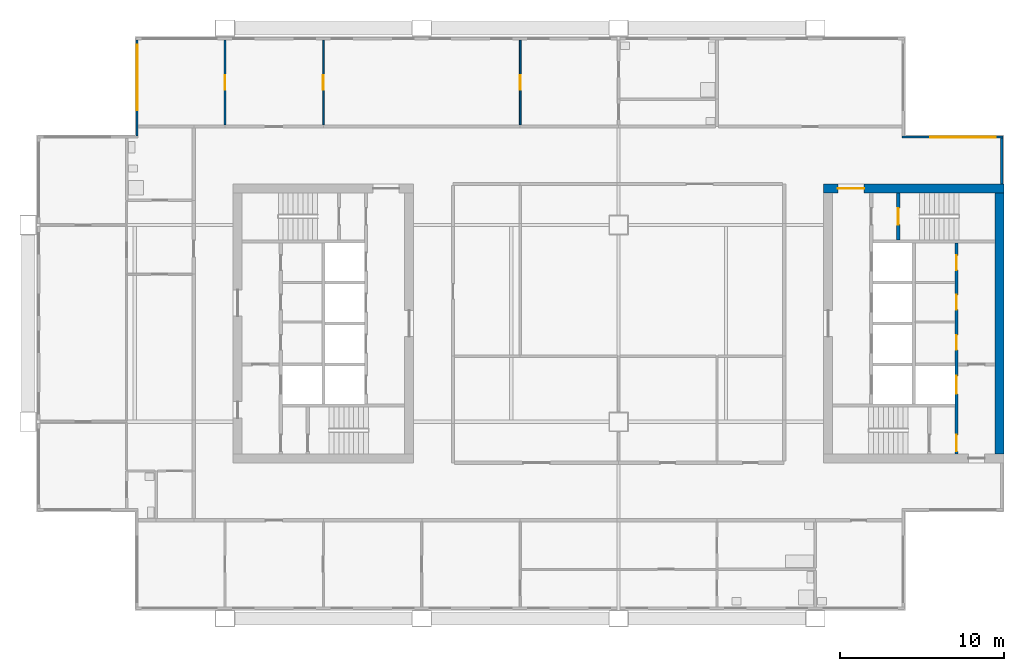
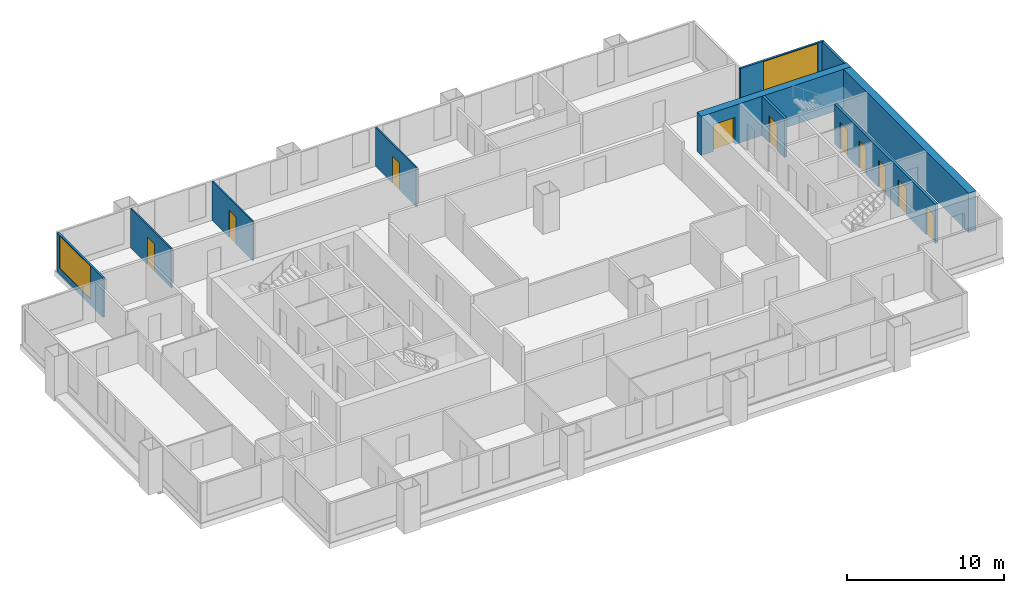
# One storey, part 6 of 9: 10 doors, 10 walls, 2 windows, 12 openings.
"""IFC4 building model written with IfcOpenShell, lengths in metres."""

from ifc_helpers import new_model, si_unit, direction, frame, frame_2d, origin, place, context, subcontext, project, spatial, rectangle, extrude, material, layer, layer_set, type_object, element, fill, save


model = new_model("IFC4")

# Units and contexts
model_context = context("Model", 3, precision=1e-05, world=origin(), true_north=direction((0.0, 1.0)))
body_context = subcontext(model_context, "Body", "Model", "MODEL_VIEW")
ifc_project = project(units=[si_unit("LENGTHUNIT", "METRE"), si_unit("AREAUNIT", "SQUARE_METRE"), si_unit("VOLUMEUNIT", "CUBIC_METRE"), si_unit("PLANEANGLEUNIT", "RADIAN"), si_unit("MASSUNIT", "GRAM", prefix="KILO")], contexts=[model_context])

# Site, building, storey
site_placement = place(None, origin())
site = spatial("IfcSite", under=ifc_project, at=site_placement, CompositionType="ELEMENT")
building_placement = place(site_placement, origin())
building = spatial("IfcBuilding", under=site, at=building_placement, Name="Kitamizu Gate Tower and Museum", CompositionType="ELEMENT")
storey_placement = place(building_placement, frame((0.0, 0.0, 196.199951171875)))
storey = spatial("IfcBuildingStorey", under=building, at=storey_placement, Name="L52", CompositionType="ELEMENT", Elevation=196.199951171875)

# Wall, opening, door
ifc_material_1 = material(Name="Concrete Fc42", Category="concrete")
ifc_layer_1 = layer(ifc_material_1, 0.550048828125)
ifc_layer_set_1 = layer_set([ifc_layer_1], Name="Concrete Fc42")
wall_type_1 = type_object("IfcWallType", Name="Core wall 550", PredefinedType="SHEAR", material=ifc_layer_set_1)
wall_1_placement = place(storey_placement, frame((59.5, 38.22509765625, 0.0), z_axis=(0.0, 0.0, 1.0), x_axis=(-1.0, 0.0, 0.0)))
wall_1 = element("IfcWall", 1, at=wall_1_placement, inside=storey, type_object=wall_type_1, Name="Core wall EN", PredefinedType="SHEAR", context=body_context, shape_type="SweptSolid", body=[
    extrude(rectangle(XDim=11.0, YDim=0.550048828125, at=frame_2d((5.5, 0.0))), origin(), (0.0, 0.0, 1.0), 3.050048828125),
])
opening_1_placement = place(wall_1_placement, frame((8.52490234375, 0.0, 0.0)))
opening_1 = element("IfcOpeningElement", 2, at=opening_1_placement, cuts=wall_1, Name="Opening L52-048", PredefinedType="OPENING", context=body_context, shape_type="SweptSolid", body=[
    extrude(rectangle(XDim=1.60009765625, YDim=2.10009765625, at=frame_2d((0.800048828125, 1.050048828125))), frame((0.0, 0.28515625, 0.0), z_axis=(0.0, -1.0, 0.0), x_axis=(1.0, 0.0, 0.0)), (0.0, 0.0, 1.0), 0.570068359375),
])
ifc_material_2 = material(Name="Timber door set", Category="wood")
door_type_1 = type_object("IfcDoorType", Name="Entrance door 1600", OperationType="DOUBLE_DOOR_SINGLE_SWING", PredefinedType="DOOR", material=ifc_material_2)
door_1_placement = place(opening_1_placement, origin())
door_1 = element("IfcDoor", 3, at=door_1_placement, inside=storey, type_object=door_type_1, Name="Lobby door L52-048", OperationType="DOUBLE_DOOR_SINGLE_SWING", OverallHeight=2.10009765625, OverallWidth=1.60009765625, PredefinedType="DOOR", context=body_context, shape_type="SweptSolid", body=[
    extrude(rectangle(XDim=1.60009765625, YDim=2.10009765625, at=frame_2d((0.800048828125, 1.050048828125))), frame((0.0, 0.02490234375, 0.0), z_axis=(0.0, -1.0, 0.0), x_axis=(1.0, 0.0, 0.0)), (0.0, 0.0, 1.0), 0.050048828125),
])
fill(opening_1, door_1)

# Wall
wall_2_placement = place(storey_placement, frame((59.22509765625, 22.050048828125, 0.0), z_axis=(0.0, 0.0, 1.0), x_axis=(0.0, 1.0, 0.0)))
element("IfcWall", 4, at=wall_2_placement, inside=storey, type_object=wall_type_1, Name="Core wall EOUT", PredefinedType="SHEAR", context=body_context, shape_type="SweptSolid", body=[
    extrude(rectangle(XDim=15.89990234375, YDim=0.550048828125, at=frame_2d((7.949951171875, 0.0))), origin(), (0.0, 0.0, 1.0), 3.050048828125),
])

# Wall, opening, door
ifc_material_3 = material(Name="Gypsum board on galvanised stud")
ifc_layer_2 = layer(ifc_material_3, 0.10009765625)
ifc_layer_set_2 = layer_set([ifc_layer_2], Name="Gypsum board on galvanised stud")
wall_type_2 = type_object("IfcWallType", Name="Partition 100 NOT RATED", PredefinedType="PARTITIONING", material=ifc_layer_set_2)
wall_3_placement = place(storey_placement, frame((12.0, 42.10009765625, 0.0), z_axis=(0.0, 0.0, 1.0), x_axis=(0.0, 1.0, 0.0)))
wall_3 = element("IfcWall", 5, at=wall_3_placement, inside=storey, type_object=wall_type_2, Name="Partition L52-023", PredefinedType="PARTITIONING", context=body_context, shape_type="SweptSolid", body=[
    extrude(rectangle(XDim=5.179931640625, YDim=0.10009765625, at=frame_2d((2.58984375, 0.0))), origin(), (0.0, 0.0, 1.0), 3.050048828125),
])
opening_2_placement = place(wall_3_placement, frame((2.139892578125, 0.0, 0.0)))
opening_2 = element("IfcOpeningElement", 6, at=opening_2_placement, cuts=wall_3, Name="Opening L52-014", PredefinedType="OPENING", context=body_context, shape_type="SweptSolid", body=[
    extrude(rectangle(XDim=0.89990234375, YDim=2.10009765625, at=frame_2d((0.449951171875, 1.050048828125))), frame((0.0, 0.06005859375, 0.0), z_axis=(0.0, -1.0, 0.0), x_axis=(1.0, 0.0, 0.0)), (0.0, 0.0, 1.0), 0.1201171875),
])
ifc_material_4 = material(Name="Timber door set", Category="wood")
door_type_2 = type_object("IfcDoorType", Name="Room door 900", OperationType="NOTDEFINED", PredefinedType="DOOR", material=ifc_material_4)
door_2_placement = place(opening_2_placement, origin())
door_2 = element("IfcDoor", 7, at=door_2_placement, inside=storey, type_object=door_type_2, Name="Door L52-014", OperationType="SINGLE_SWING_LEFT", OverallHeight=2.10009765625, OverallWidth=0.89990234375, PredefinedType="DOOR", context=body_context, shape_type="SweptSolid", body=[
    extrude(rectangle(XDim=0.89990234375, YDim=2.10009765625, at=frame_2d((0.449951171875, 1.050048828125))), frame((0.0, 0.02490234375, 0.0), z_axis=(0.0, -1.0, 0.0), x_axis=(1.0, 0.0, 0.0)), (0.0, 0.0, 1.0), 0.050048828125),
])
fill(opening_2, door_2)

wall_4_placement = place(storey_placement, frame((18.0, 42.10009765625, 0.0), z_axis=(0.0, 0.0, 1.0), x_axis=(0.0, 1.0, 0.0)))
wall_4 = element("IfcWall", 8, at=wall_4_placement, inside=storey, type_object=wall_type_2, Name="Partition L52-026", PredefinedType="PARTITIONING", context=body_context, shape_type="SweptSolid", body=[
    extrude(rectangle(XDim=5.179931640625, YDim=0.10009765625, at=frame_2d((2.58984375, 0.0))), origin(), (0.0, 0.0, 1.0), 3.050048828125),
])
opening_3_placement = place(wall_4_placement, frame((2.139892578125, 0.0, 0.0)))
opening_3 = element("IfcOpeningElement", 9, at=opening_3_placement, cuts=wall_4, Name="Opening L52-011", PredefinedType="OPENING", context=body_context, shape_type="SweptSolid", body=[
    extrude(rectangle(XDim=0.89990234375, YDim=2.10009765625, at=frame_2d((0.449951171875, 1.050048828125))), frame((0.0, 0.06005859375, 0.0), z_axis=(0.0, -1.0, 0.0), x_axis=(1.0, 0.0, 0.0)), (0.0, 0.0, 1.0), 0.1201171875),
])
door_3_placement = place(opening_3_placement, frame((0.89990234375, 0.0, 0.0), x_axis=(-1.0, 0.0, 0.0)))
door_3 = element("IfcDoor", 10, at=door_3_placement, inside=storey, type_object=door_type_2, Name="Door L52-011", OperationType="SINGLE_SWING_LEFT", OverallHeight=2.10009765625, OverallWidth=0.89990234375, PredefinedType="DOOR", context=body_context, shape_type="SweptSolid", body=[
    extrude(rectangle(XDim=0.89990234375, YDim=2.10009765625, at=frame_2d((0.449951171875, 1.050048828125))), frame((0.0, 0.02490234375, 0.0), z_axis=(0.0, -1.0, 0.0), x_axis=(1.0, 0.0, 0.0)), (0.0, 0.0, 1.0), 0.050048828125),
])
fill(opening_3, door_3)

wall_5_placement = place(storey_placement, frame((30.0, 42.10009765625, 0.0), z_axis=(0.0, 0.0, 1.0), x_axis=(0.0, 1.0, 0.0)))
wall_5 = element("IfcWall", 11, at=wall_5_placement, inside=storey, type_object=wall_type_2, Name="Partition L52-028", PredefinedType="PARTITIONING", context=body_context, shape_type="SweptSolid", body=[
    extrude(rectangle(XDim=5.179931640625, YDim=0.10009765625, at=frame_2d((2.58984375, 0.0))), origin(), (0.0, 0.0, 1.0), 3.050048828125),
])
opening_4_placement = place(wall_5_placement, frame((2.139892578125, 0.0, 0.0)))
opening_4 = element("IfcOpeningElement", 12, at=opening_4_placement, cuts=wall_5, Name="Opening L52-012", PredefinedType="OPENING", context=body_context, shape_type="SweptSolid", body=[
    extrude(rectangle(XDim=0.89990234375, YDim=2.10009765625, at=frame_2d((0.449951171875, 1.050048828125))), frame((0.0, 0.06005859375, 0.0), z_axis=(0.0, -1.0, 0.0), x_axis=(1.0, 0.0, 0.0)), (0.0, 0.0, 1.0), 0.1201171875),
])
door_4_placement = place(opening_4_placement, frame((0.89990234375, 0.0, 0.0), x_axis=(-1.0, 0.0, 0.0)))
door_4 = element("IfcDoor", 13, at=door_4_placement, inside=storey, type_object=door_type_2, Name="Door L52-012", OperationType="SINGLE_SWING_RIGHT", OverallHeight=2.10009765625, OverallWidth=0.89990234375, PredefinedType="DOOR", context=body_context, shape_type="SweptSolid", body=[
    extrude(rectangle(XDim=0.89990234375, YDim=2.10009765625, at=frame_2d((0.449951171875, 1.050048828125))), frame((0.0, 0.02490234375, 0.0), z_axis=(0.0, -1.0, 0.0), x_axis=(1.0, 0.0, 0.0)), (0.0, 0.0, 1.0), 0.050048828125),
])
fill(opening_4, door_4)

# Wall, openings, doors
ifc_material_5 = material(Name="Concrete Fc42", Category="concrete")
ifc_layer_3 = layer(ifc_material_5, 0.199951171875)
ifc_layer_set_3 = layer_set([ifc_layer_3], Name="Concrete Fc42")
wall_type_3 = type_object("IfcWallType", Name="Shaft wall 200", PredefinedType="SOLIDWALL", material=ifc_layer_set_3)
wall_6_placement = place(storey_placement, frame((56.60009765625, 22.050048828125, 0.0), z_axis=(0.0, 0.0, 1.0), x_axis=(0.0, 1.0, 0.0)))
wall_6 = element("IfcWall", 14, at=wall_6_placement, inside=storey, type_object=wall_type_3, Name="Shaft wall EWEST", PredefinedType="SOLIDWALL", context=body_context, shape_type="SweptSolid", body=[
    extrude(rectangle(XDim=12.849853515625, YDim=0.199951171875, at=frame_2d((6.4248046875, 0.0))), origin(), (0.0, 0.0, 1.0), 3.050048828125),
])
opening_5_placement = place(wall_6_placement, frame((3.64990234375, 0.0, 0.0)))
opening_5 = element("IfcOpeningElement", 15, at=opening_5_placement, cuts=wall_6, Name="Opening LD", PredefinedType="OPENING", context=body_context, shape_type="SweptSolid", body=[
    extrude(rectangle(XDim=1.10009765625, YDim=2.10009765625, at=frame_2d((0.550048828125, 1.050048828125))), frame((0.0, 0.10986328125, 0.0), z_axis=(0.0, -1.0, 0.0), x_axis=(1.0, 0.0, 0.0)), (0.0, 0.0, 1.0), 0.219970703125),
])
opening_6_placement = place(wall_6_placement, frame((0.14990234375, 0.0, 0.0)))
opening_6 = element("IfcOpeningElement", 16, at=opening_6_placement, cuts=wall_6, Name="Opening L52-043", PredefinedType="OPENING", context=body_context, shape_type="SweptSolid", body=[
    extrude(rectangle(XDim=1.0, YDim=2.10009765625, at=frame_2d((0.5, 1.050048828125))), frame((0.0, 0.10986328125, 0.0), z_axis=(0.0, -1.0, 0.0), x_axis=(1.0, 0.0, 0.0)), (0.0, 0.0, 1.0), 0.219970703125),
])
opening_7_placement = place(wall_6_placement, frame((6.341064453125, 0.0, 0.0)))
opening_7 = element("IfcOpeningElement", 17, at=opening_7_placement, cuts=wall_6, Name="Opening L52-050", PredefinedType="OPENING", context=body_context, shape_type="SweptSolid", body=[
    extrude(rectangle(XDim=0.89990234375, YDim=2.10009765625, at=frame_2d((0.449951171875, 1.050048828125))), frame((0.0, 0.10986328125, 0.0), z_axis=(0.0, -1.0, 0.0), x_axis=(1.0, 0.0, 0.0)), (0.0, 0.0, 1.0), 0.219970703125),
])
opening_8_placement = place(wall_6_placement, frame((8.78662109375, 0.0, 0.0)))
opening_8 = element("IfcOpeningElement", 18, at=opening_8_placement, cuts=wall_6, Name="Opening L52-051", PredefinedType="OPENING", context=body_context, shape_type="SweptSolid", body=[
    extrude(rectangle(XDim=0.89990234375, YDim=2.10009765625, at=frame_2d((0.449951171875, 1.050048828125))), frame((0.0, 0.10986328125, 0.0), z_axis=(0.0, -1.0, 0.0), x_axis=(1.0, 0.0, 0.0)), (0.0, 0.0, 1.0), 0.219970703125),
])
opening_9_placement = place(wall_6_placement, frame((11.195556640625, 0.0, 0.0)))
opening_9 = element("IfcOpeningElement", 19, at=opening_9_placement, cuts=wall_6, Name="Opening L52-052", PredefinedType="OPENING", context=body_context, shape_type="SweptSolid", body=[
    extrude(rectangle(XDim=0.89990234375, YDim=2.10009765625, at=frame_2d((0.449951171875, 1.050048828125))), frame((0.0, 0.10986328125, 0.0), z_axis=(0.0, -1.0, 0.0), x_axis=(1.0, 0.0, 0.0)), (0.0, 0.0, 1.0), 0.219970703125),
])
ifc_material_6 = material(Name="Hollow metal door set")
door_type_3 = type_object("IfcDoorType", Name="Fire door 1000", OperationType="NOTDEFINED", PredefinedType="DOOR", material=ifc_material_6)
door_5_placement = place(opening_6_placement, origin())
door_5 = element("IfcDoor", 20, at=door_5_placement, inside=storey, type_object=door_type_3, Name="Stair lobby door L52-043", OperationType="SINGLE_SWING_RIGHT", OverallHeight=2.10009765625, OverallWidth=1.0, PredefinedType="DOOR", context=body_context, shape_type="SweptSolid", body=[
    extrude(rectangle(XDim=1.0, YDim=2.10009765625, at=frame_2d((0.5, 1.050048828125))), frame((0.0, 0.02490234375, 0.0), z_axis=(0.0, -1.0, 0.0), x_axis=(1.0, 0.0, 0.0)), (0.0, 0.0, 1.0), 0.050048828125),
])
fill(opening_6, door_5)
ifc_material_7 = material(Name="Hollow metal door set")
door_type_4 = type_object("IfcDoorType", Name="Landing door 1100", OperationType="SLIDING_TO_LEFT", PredefinedType="DOOR", material=ifc_material_7)
door_6_placement = place(opening_5_placement, origin())
door_6 = element("IfcDoor", 21, at=door_6_placement, inside=storey, type_object=door_type_4, Name="Landing door EFF1", OperationType="SLIDING_TO_LEFT", OverallHeight=2.10009765625, OverallWidth=1.10009765625, PredefinedType="DOOR", context=body_context, shape_type="SweptSolid", body=[
    extrude(rectangle(XDim=1.10009765625, YDim=2.10009765625, at=frame_2d((0.550048828125, 1.050048828125))), frame((0.0, 0.02490234375, 0.0), z_axis=(0.0, -1.0, 0.0), x_axis=(1.0, 0.0, 0.0)), (0.0, 0.0, 1.0), 0.050048828125),
])
fill(opening_5, door_6)
ifc_material_8 = material(Name="Timber door set", Category="wood")
door_type_5 = type_object("IfcDoorType", Name="Service door 900", OperationType="NOTDEFINED", PredefinedType="DOOR", material=ifc_material_8)
door_7_placement = place(opening_7_placement, origin())
door_7 = element("IfcDoor", 22, at=door_7_placement, inside=storey, type_object=door_type_5, Name="Service door L52-050", OperationType="SINGLE_SWING_RIGHT", OverallHeight=2.10009765625, OverallWidth=0.89990234375, PredefinedType="DOOR", context=body_context, shape_type="SweptSolid", body=[
    extrude(rectangle(XDim=0.89990234375, YDim=2.10009765625, at=frame_2d((0.449951171875, 1.050048828125))), frame((0.0, 0.02490234375, 0.0), z_axis=(0.0, -1.0, 0.0), x_axis=(1.0, 0.0, 0.0)), (0.0, 0.0, 1.0), 0.050048828125),
])
fill(opening_7, door_7)
door_8_placement = place(opening_8_placement, origin())
door_8 = element("IfcDoor", 23, at=door_8_placement, inside=storey, type_object=door_type_5, Name="Service door L52-051", OperationType="SINGLE_SWING_LEFT", OverallHeight=2.10009765625, OverallWidth=0.89990234375, PredefinedType="DOOR", context=body_context, shape_type="SweptSolid", body=[
    extrude(rectangle(XDim=0.89990234375, YDim=2.10009765625, at=frame_2d((0.449951171875, 1.050048828125))), frame((0.0, 0.02490234375, 0.0), z_axis=(0.0, -1.0, 0.0), x_axis=(1.0, 0.0, 0.0)), (0.0, 0.0, 1.0), 0.050048828125),
])
fill(opening_8, door_8)
door_9_placement = place(opening_9_placement, origin())
door_9 = element("IfcDoor", 24, at=door_9_placement, inside=storey, type_object=door_type_5, Name="Service door L52-052", OperationType="SINGLE_SWING_RIGHT", OverallHeight=2.10009765625, OverallWidth=0.89990234375, PredefinedType="DOOR", context=body_context, shape_type="SweptSolid", body=[
    extrude(rectangle(XDim=0.89990234375, YDim=2.10009765625, at=frame_2d((0.449951171875, 1.050048828125))), frame((0.0, 0.02490234375, 0.0), z_axis=(0.0, -1.0, 0.0), x_axis=(1.0, 0.0, 0.0)), (0.0, 0.0, 1.0), 0.050048828125),
])
fill(opening_9, door_9)

# Wall, opening, door
wall_7_placement = place(storey_placement, frame((53.050048828125, 35.10009765625, 0.0), z_axis=(0.0, 0.0, 1.0), x_axis=(0.0, 1.0, 0.0)))
wall_7 = element("IfcWall", 25, at=wall_7_placement, inside=storey, type_object=wall_type_3, Name="Shaft wall ENZ", PredefinedType="SOLIDWALL", context=body_context, shape_type="SweptSolid", body=[
    extrude(rectangle(XDim=2.849853515625, YDim=0.199951171875, at=frame_2d((1.4248046875, 0.0))), origin(), (0.0, 0.0, 1.0), 3.050048828125),
])
opening_10_placement = place(wall_7_placement, frame((0.925048828125, 0.0, 0.0)))
opening_10 = element("IfcOpeningElement", 26, at=opening_10_placement, cuts=wall_7, Name="Opening L52-045", PredefinedType="OPENING", context=body_context, shape_type="SweptSolid", body=[
    extrude(rectangle(XDim=1.0, YDim=2.10009765625, at=frame_2d((0.5, 1.050048828125))), frame((0.0, 0.10986328125, 0.0), z_axis=(0.0, -1.0, 0.0), x_axis=(1.0, 0.0, 0.0)), (0.0, 0.0, 1.0), 0.219970703125),
])
door_10_placement = place(opening_10_placement, frame((1.0, 0.0, 0.0), x_axis=(-1.0, 0.0, 0.0)))
door_10 = element("IfcDoor", 27, at=door_10_placement, inside=storey, type_object=door_type_3, Name="Stair door L52-045", OperationType="SINGLE_SWING_RIGHT", OverallHeight=2.10009765625, OverallWidth=1.0, PredefinedType="DOOR", context=body_context, shape_type="SweptSolid", body=[
    extrude(rectangle(XDim=1.0, YDim=2.10009765625, at=frame_2d((0.5, 1.050048828125))), frame((0.0, 0.02490234375, 0.0), z_axis=(0.0, -1.0, 0.0), x_axis=(1.0, 0.0, 0.0)), (0.0, 0.0, 1.0), 0.050048828125),
])
fill(opening_10, door_10)

# Wall
ifc_material_9 = material(Name="Bronze anodised aluminium frame with insulated spandrel and tinted glass", Category="aluminium")
ifc_layer_4 = layer(ifc_material_9, 0.14990234375)
ifc_layer_set_4 = layer_set([ifc_layer_4], Name="Bronze anodised aluminium frame with insulated spandrel and tinted glass")
wall_type_4 = type_object("IfcWallType", Name="WINDOW WALL 150 BRONZE FRAME EI 30", PredefinedType="ELEMENTEDWALL", material=ifc_layer_set_4)
wall_8_placement = place(storey_placement, frame((59.364990234375, 38.5, 0.0), z_axis=(0.0, 0.0, 1.0), x_axis=(0.0, 1.0, 0.0)))
element("IfcWall", 28, at=wall_8_placement, inside=storey, type_object=wall_type_4, Name="Window wall east L52", PredefinedType="ELEMENTEDWALL", context=body_context, shape_type="SweptSolid", body=[
    extrude(rectangle(XDim=2.7900390625, YDim=0.14990234375, at=frame_2d((1.39501953125, 0.0))), origin(), (0.0, 0.0, 1.0), 3.050048828125),
])

# Wall, opening, window
wall_9_placement = place(storey_placement, frame((53.2900390625, 41.364990234375, 0.0), z_axis=(0.0, 0.0, 1.0), x_axis=(1.0, 0.0, 0.0)))
wall_9 = element("IfcWall", 29, at=wall_9_placement, inside=storey, type_object=wall_type_4, Name="Window wall north L52", PredefinedType="ELEMENTEDWALL", context=body_context, shape_type="SweptSolid", body=[
    extrude(rectangle(XDim=6.14990234375, YDim=0.14990234375, at=frame_2d((3.074951171875, 0.0))), origin(), (0.0, 0.0, 1.0), 3.050048828125),
])
opening_11_placement = place(wall_9_placement, frame((1.7099609375, 0.0, 0.449951171875)))
opening_11 = element("IfcOpeningElement", 30, at=opening_11_placement, cuts=wall_9, Name="Opening W16", PredefinedType="OPENING", context=body_context, shape_type="SweptSolid", body=[
    extrude(rectangle(XDim=4.0, YDim=2.550048828125, at=frame_2d((2.0, 1.27490234375))), frame((0.0, 0.0849609375, 0.0), z_axis=(0.0, -1.0, 0.0), x_axis=(1.0, 0.0, 0.0)), (0.0, 0.0, 1.0), 0.169921875),
])
ifc_material_10 = material(Name="Bronze anodised aluminium frame, tinted triple glazing", Category="aluminium")
window_type = type_object("IfcWindowType", Name="WINDOW 4000 x 2550 SILL 450", PartitioningType="SINGLE_PANEL", PredefinedType="WINDOW", material=ifc_material_10)
window_1_placement = place(opening_11_placement, origin())
window_1 = element("IfcWindow", 31, at=window_1_placement, inside=storey, type_object=window_type, Name="Window W16 L52", OverallHeight=2.550048828125, OverallWidth=4.0, PartitioningType="SINGLE_PANEL", PredefinedType="WINDOW", context=body_context, shape_type="SweptSolid", body=[
    extrude(rectangle(XDim=4.0, YDim=2.550048828125, at=frame_2d((2.0, 1.27490234375))), frame((0.0, 0.030029296875, 0.0), z_axis=(0.0, -1.0, 0.0), x_axis=(1.0, 0.0, 0.0)), (0.0, 0.0, 1.0), 0.06005859375),
])
fill(opening_11, window_1)

wall_10_placement = place(storey_placement, frame((6.635009765625, 41.43994140625, 0.0), z_axis=(0.0, 0.0, 1.0), x_axis=(0.0, 1.0, 0.0)))
wall_10 = element("IfcWall", 32, at=wall_10_placement, inside=storey, type_object=wall_type_4, Name="Window wall west L52", PredefinedType="ELEMENTEDWALL", context=body_context, shape_type="SweptSolid", body=[
    extrude(rectangle(XDim=5.85009765625, YDim=0.14990234375, at=frame_2d((2.925048828125, 0.0))), origin(), (0.0, 0.0, 1.0), 3.050048828125),
])
opening_12_placement = place(wall_10_placement, frame((1.56005859375, 0.0, 0.449951171875)))
opening_12 = element("IfcOpeningElement", 33, at=opening_12_placement, cuts=wall_10, Name="Opening W16", PredefinedType="OPENING", context=body_context, shape_type="SweptSolid", body=[
    extrude(rectangle(XDim=4.0, YDim=2.550048828125, at=frame_2d((2.0, 1.27490234375))), frame((0.0, 0.0849609375, 0.0), z_axis=(0.0, -1.0, 0.0), x_axis=(1.0, 0.0, 0.0)), (0.0, 0.0, 1.0), 0.169921875),
])
window_2_placement = place(opening_12_placement, origin())
window_2 = element("IfcWindow", 34, at=window_2_placement, inside=storey, type_object=window_type, Name="Window W16 L52", OverallHeight=2.550048828125, OverallWidth=4.0, PartitioningType="SINGLE_PANEL", PredefinedType="WINDOW", context=body_context, shape_type="SweptSolid", body=[
    extrude(rectangle(XDim=4.0, YDim=2.550048828125, at=frame_2d((2.0, 1.27490234375))), frame((0.0, 0.030029296875, 0.0), z_axis=(0.0, -1.0, 0.0), x_axis=(1.0, 0.0, 0.0)), (0.0, 0.0, 1.0), 0.06005859375),
])
fill(opening_12, window_2)

save(model, "model.ifc")
